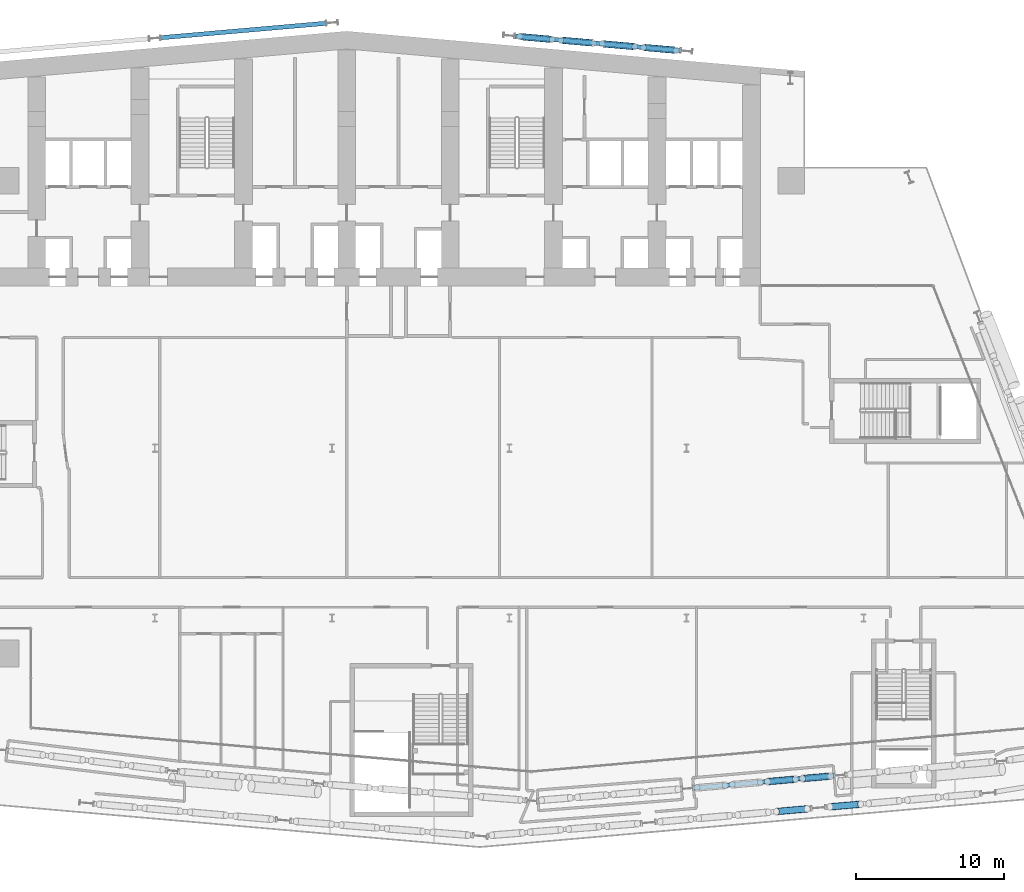
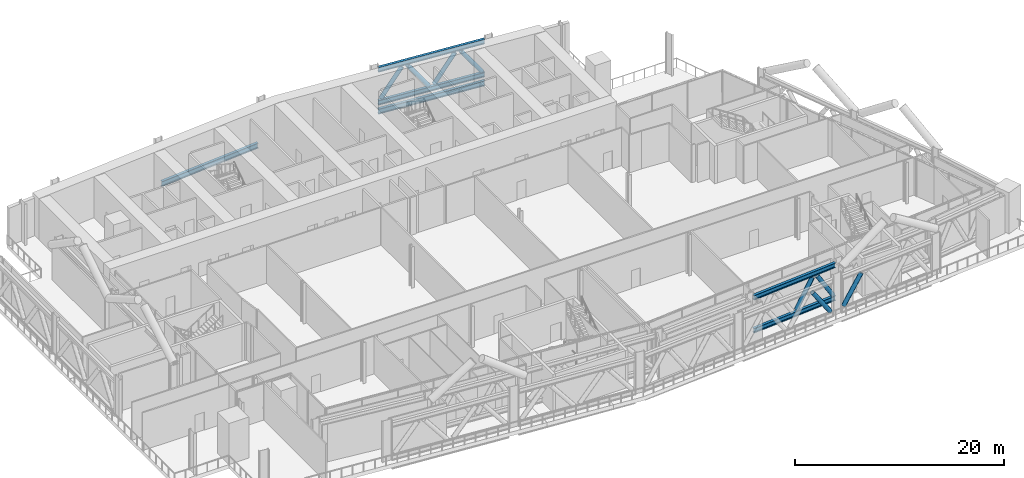
# One storey, part 10 of 39: 12 members, 2 beams.
"""IFC4 building model written with IfcOpenShell, lengths in metres."""

from ifc_helpers import new_model, si_unit, direction, frame, origin, origin_2d, place, context, subcontext, project, spatial, hollow_circle, i_section, extrude, material, material_profile, profile_set, type_object, element, save


model = new_model("IFC4")

# Units and contexts
model_context = context("Model", 3, precision=1e-05, world=origin(), true_north=direction((0.0, 1.0)))
body_context = subcontext(model_context, "Body", "Model", "MODEL_VIEW")
ifc_project = project(units=[si_unit("LENGTHUNIT", "METRE"), si_unit("AREAUNIT", "SQUARE_METRE"), si_unit("VOLUMEUNIT", "CUBIC_METRE"), si_unit("PLANEANGLEUNIT", "RADIAN"), si_unit("MASSUNIT", "GRAM", prefix="KILO")], contexts=[model_context])

# Site, building, storey
site_placement = place(None, origin())
site = spatial("IfcSite", under=ifc_project, at=site_placement, CompositionType="ELEMENT")
building_placement = place(site_placement, origin())
building = spatial("IfcBuilding", under=site, at=building_placement, Name="Wharfspan Tower", CompositionType="ELEMENT")
storey_placement = place(building_placement, frame((0.0, 0.0, 91.899902)))
storey = spatial("IfcBuildingStorey", under=building, at=storey_placement, Name="L20", CompositionType="ELEMENT", Elevation=91.899902)

# Beams
ifc_material_1 = material(Name="Steel S355J2", Category="steel")
ifc_material_profile_1 = material_profile(ifc_material_1, i_section(OverallWidth=0.300049, OverallDepth=0.600098, WebThickness=0.015381, FlangeThickness=0.030029, FilletRadius=0.0271, at=origin_2d()))
ifc_profile_set_1 = profile_set([ifc_material_profile_1], Name="Steel S355J2")
beam_type = type_object("IfcBeamType", Name="Edge beam HEB 600", PredefinedType="SPANDREL", material=ifc_profile_set_1)
for number, where, z_axis, x_axis, name in (
    (1, (59.598633, 49.919922, -0.75), (-0.996194, 0.087165, 0.0), (-0.087165, -0.996194, 0.0), "Edge beam N2 L20 R.5 to R.4"),
    (2, (35.598633, 51.774414, -0.75), (-0.996196, -0.087143, 0.0), (0.087143, -0.996196, 0.0), "Edge beam N1 L20 R.3 to R.2"),
):
    element("IfcBeam", number, at=place(storey_placement, frame(where, z_axis=z_axis, x_axis=x_axis)), inside=storey, type_object=beam_type, Name=name, PredefinedType="SPANDREL", context=body_context, shape_type="SweptSolid", body=[
        extrude(i_section(OverallWidth=0.300049, OverallDepth=0.600098, WebThickness=0.015381, FlangeThickness=0.030029, FilletRadius=0.0271, at=origin_2d()), origin(), (0.0, 0.0, 1.0), 11.23999),
    ])

# Members
ifc_material_profile_2 = material_profile(ifc_material_1, i_section(OverallWidth=0.300049, OverallDepth=0.550049, WebThickness=0.014893, FlangeThickness=0.029053, FilletRadius=0.0271, at=origin_2d()))
ifc_profile_set_2 = profile_set([ifc_material_profile_2], Name="Steel S355J2")
member_type_1 = type_object("IfcMemberType", Name="Truss chord HEB 550", PredefinedType="CHORD", material=ifc_profile_set_2)
for number, where, z_axis, x_axis, name in (
    (3, (60.483398, -0.015381, 4.125), (0.996194, 0.087161, 0.0), (-0.087161, 0.996194, 0.0), "Belt truss chord T L20 S2 PS2.1 to PS2.2"),
    (4, (60.483398, -0.015381, 0.275146), (0.996194, 0.087161, 0.0), (-0.087161, 0.996194, 0.0), "Belt truss chord B L20 S2 PS2.1 to PS2.2"),
):
    element("IfcMember", number, at=place(storey_placement, frame(where, z_axis=z_axis, x_axis=x_axis)), inside=storey, type_object=member_type_1, Name=name, PredefinedType="CHORD", context=body_context, shape_type="SweptSolid", body=[
        extrude(i_section(OverallWidth=0.300049, OverallDepth=0.550049, WebThickness=0.014893, FlangeThickness=0.029053, FilletRadius=0.0271, at=origin_2d()), origin(), (0.0, 0.0, 1.0), 9.551514),
    ])
for number, where, z_axis, x_axis, name in (
    (5, (59.594482, 49.92041, 4.125), (-0.996196, 0.087143, 0.0), (-0.087143, -0.996196, 0.0), "Belt truss chord T L20 N2 R.5 to R.4"),
    (6, (59.594482, 49.92041, 0.275146), (-0.996196, 0.087143, 0.0), (-0.087143, -0.996196, 0.0), "Belt truss chord B L20 N2 R.5 to R.4"),
):
    element("IfcMember", number, at=place(storey_placement, frame(where, z_axis=z_axis, x_axis=x_axis)), inside=storey, type_object=member_type_1, Name=name, PredefinedType="CHORD", context=body_context, shape_type="SweptSolid", body=[
        extrude(i_section(OverallWidth=0.300049, OverallDepth=0.550049, WebThickness=0.014893, FlangeThickness=0.029053, FilletRadius=0.0271, at=origin_2d()), origin(), (0.0, 0.0, 1.0), 11.231689),
    ])
ifc_material_2 = material(Name="Steel S460NH", Category="steel")
ifc_material_profile_3 = material_profile(ifc_material_2, hollow_circle(Radius=0.228516, WallThickness=0.016113, at=origin_2d()))
ifc_profile_set_3 = profile_set([ifc_material_profile_3], Name="Steel S460NH")
member_type_2 = type_object("IfcMemberType", Name="Truss diagonal CHS 457x16", PredefinedType="BRACE", material=ifc_profile_set_3)
for number, where, z_axis, x_axis, name in (
    (7, (65.485352, 0.422363, 0.670654), (0.52508, 0.045916, 0.849813), (-0.087113, 0.996195, 0.0), "Belt truss diagonal L20 S2 PS2.1 to PS2.2 3"),
    (8, (67.864258, 0.630371, 3.729736), (0.525079, 0.045983, -0.849811), (-0.087241, 0.996185, -1e-06), "Belt truss diagonal L20 S2 PS2.1 to PS2.2 4"),
):
    element("IfcMember", number, at=place(storey_placement, frame(where, z_axis=z_axis, x_axis=x_axis)), inside=storey, type_object=member_type_2, Name=name, PredefinedType="BRACE", context=body_context, shape_type="SweptSolid", body=[
        extrude(hollow_circle(Radius=0.228516, WallThickness=0.016113, at=origin_2d()), origin(), (0.0, 0.0, 1.0), 3.599609),
    ])
for number, where, z_axis, x_axis, name in (
    (9, (59.296875, 49.946289, 0.684814), (-0.587028, 0.051354, 0.807936), (-0.087146, -0.996198, 2e-06), "Belt truss diagonal L20 N2 R.5 to R.4 1"),
    (10, (56.499756, 50.191162, 3.715332), (-0.587071, 0.051352, -0.807905), (-0.087143, -0.996197, 3e-06), "Belt truss diagonal L20 N2 R.5 to R.4 2"),
    (11, (53.702393, 50.435791, 0.684814), (-0.587071, 0.051352, 0.807905), (-0.087143, -0.996197, -3e-06), "Belt truss diagonal L20 N2 R.5 to R.4 3"),
    (12, (50.905029, 50.68042, 3.715332), (-0.587026, 0.051419, -0.807934), (-0.087257, -0.996187, -1e-06), "Belt truss diagonal L20 N2 R.5 to R.4 4"),
):
    element("IfcMember", number, at=place(storey_placement, frame(where, z_axis=z_axis, x_axis=x_axis)), inside=storey, type_object=member_type_2, Name=name, PredefinedType="BRACE", context=body_context, shape_type="SweptSolid", body=[
        extrude(hollow_circle(Radius=0.228516, WallThickness=0.016113, at=origin_2d()), origin(), (0.0, 0.0, 1.0), 3.750977),
    ])
for number, where, z_axis, x_axis, name in (
    (13, (66.091797, -1.604248, 3.721191), (0.562498, 0.049215, -0.825333), (-0.087159, 0.996192, 1e-06), "Belt truss diagonal L20 S2 PS2.1.S to PS2.2.S 4"),
    (14, (69.719971, -1.286621, 0.679199), (0.5625, 0.049149, 0.825335), (-0.087047, 0.996201, 2e-06), "Belt truss diagonal L20 S2 PS2.2.S to PS2.3.S 1"),
):
    element("IfcMember", number, at=place(storey_placement, frame(where, z_axis=z_axis, x_axis=x_axis)), inside=storey, type_object=member_type_2, Name=name, PredefinedType="BRACE", context=body_context, shape_type="SweptSolid", body=[
        extrude(hollow_circle(Radius=0.228516, WallThickness=0.016113, at=origin_2d()), origin(), (0.0, 0.0, 1.0), 3.685791),
    ])

save(model, "model.ifc")
